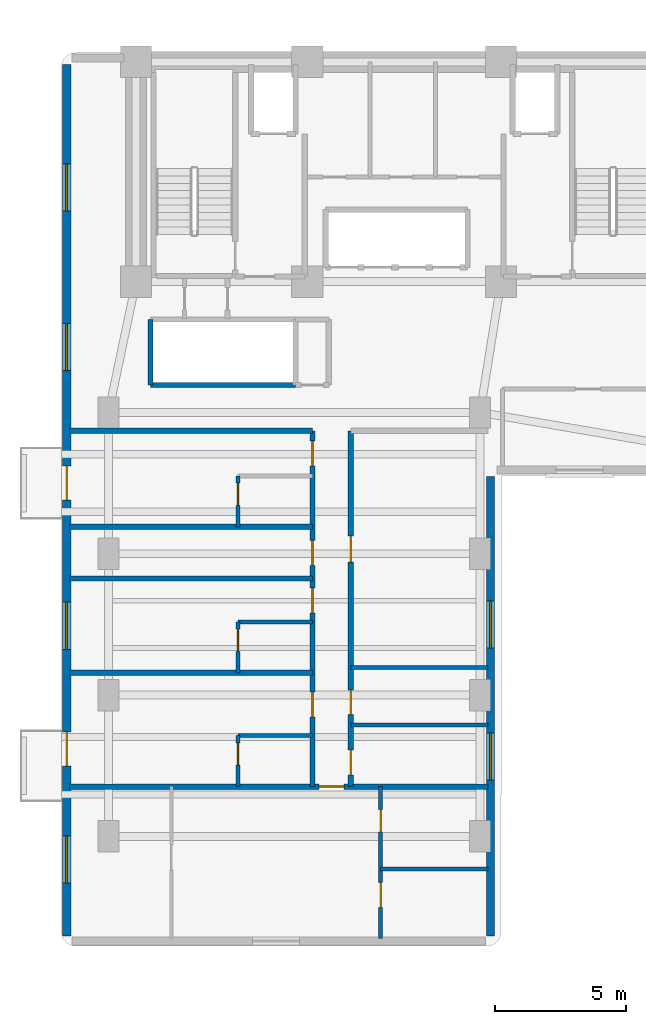
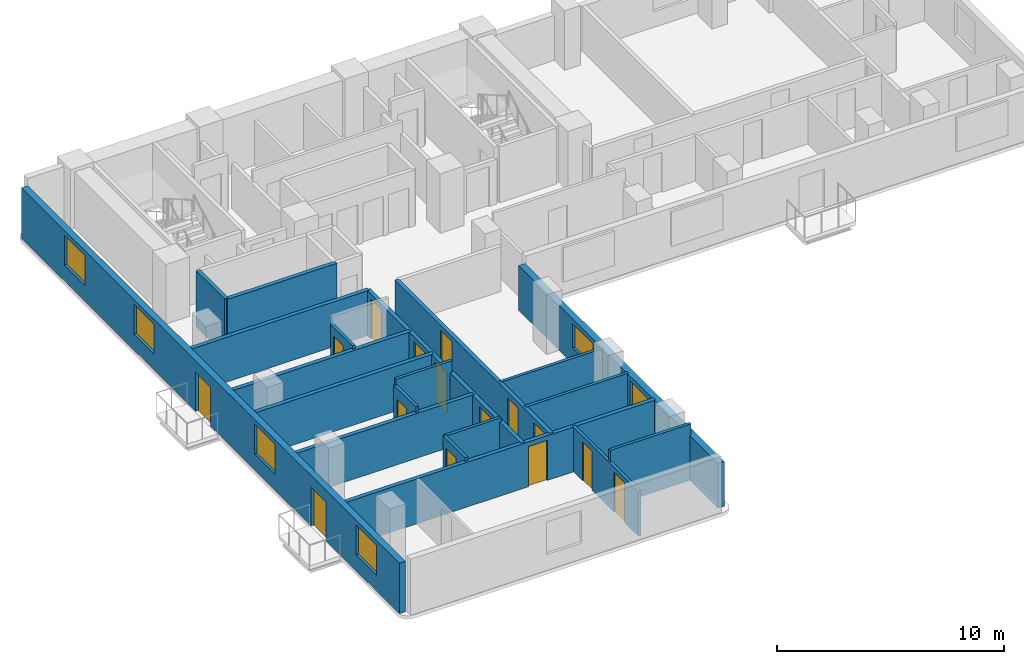
# One storey, part 3 of 11: 20 walls, 15 doors, 6 windows, 21 openings.
"""IFC4 building model written with IfcOpenShell, lengths in metres."""

from ifc_helpers import new_model, si_unit, direction, frame, frame_2d, origin, place, context, subcontext, project, spatial, rectangle, extrude, material, layer, layer_set, type_object, element, fill, save


model = new_model("IFC4")

# Units and contexts
model_context = context("Model", 3, precision=1e-05, world=origin(), true_north=direction((0.0, 1.0)))
body_context = subcontext(model_context, "Body", "Model", "MODEL_VIEW")
ifc_project = project(units=[si_unit("LENGTHUNIT", "METRE"), si_unit("AREAUNIT", "SQUARE_METRE"), si_unit("VOLUMEUNIT", "CUBIC_METRE"), si_unit("PLANEANGLEUNIT", "RADIAN"), si_unit("MASSUNIT", "GRAM", prefix="KILO")], contexts=[model_context])

# Site, building, storey
site_placement = place(None, origin())
site = spatial("IfcSite", under=ifc_project, at=site_placement, CompositionType="ELEMENT")
building_placement = place(site_placement, origin())
building = spatial("IfcBuilding", under=site, at=building_placement, Name="Kuzgunbayir Cultural Tower", CompositionType="ELEMENT")
storey_placement = place(building_placement, frame((0.0, 0.0, 83.39990234375)))
storey = spatial("IfcBuildingStorey", under=building, at=storey_placement, Name="L23", CompositionType="ELEMENT", Elevation=83.39990234375)

# Wall, openings, doors, windows
ifc_material_1 = material(Name="Travertine Buff Ashlar", Category="masonry")
ifc_layer_1 = layer(ifc_material_1, 0.320068359375)
ifc_layer_set_1 = layer_set([ifc_layer_1], Name="Travertine Buff Ashlar")
wall_type_1 = type_object("IfcWallType", Name="WAL-EXT-STONE-320", PredefinedType="STANDARD", material=ifc_layer_set_1)
wall_1_placement = place(storey_placement, frame((3.800048828125, 42.10009765625, 0.0), z_axis=(0.0, 0.0, 1.0), x_axis=(0.0, -1.0, 0.0)))
wall_1 = element("IfcWall", 1, at=wall_1_placement, inside=storey, type_object=wall_type_1, Name="L23 Wing A West Limestone Wall", PredefinedType="STANDARD", context=body_context, shape_type="SweptSolid", body=[
    extrude(rectangle(XDim=33.300048828125, YDim=0.320068359375, at=frame_2d((16.64990234375, 0.0))), origin(), (0.0, 0.0, 1.0), 2.710205078125),
])
opening_1_placement = place(wall_1_placement, frame((25.52001953125, 0.0, 0.0)))
opening_1 = element("IfcOpeningElement", 2, at=opening_1_placement, cuts=wall_1, Name="Opening BD-13", PredefinedType="OPENING", context=body_context, shape_type="SweptSolid", body=[
    extrude(rectangle(XDim=1.300048828125, YDim=2.080078125, at=frame_2d((0.64990234375, 1.0400390625))), frame((0.0, 0.169921875, 0.0), z_axis=(0.0, -1.0, 0.0), x_axis=(1.0, 0.0, 0.0)), (0.0, 0.0, 1.0), 0.340087890625),
])
opening_2_placement = place(wall_1_placement, frame((15.35009765625, 0.0, 0.0)))
opening_2 = element("IfcOpeningElement", 3, at=opening_2_placement, cuts=wall_1, Name="Opening BD-13", PredefinedType="OPENING", context=body_context, shape_type="SweptSolid", body=[
    extrude(rectangle(XDim=1.300048828125, YDim=2.080078125, at=frame_2d((0.64990234375, 1.0400390625))), frame((0.0, 0.169921875, 0.0), z_axis=(0.0, -1.0, 0.0), x_axis=(1.0, 0.0, 0.0)), (0.0, 0.0, 1.0), 0.340087890625),
])
opening_3_placement = place(wall_1_placement, frame((20.550048828125, 0.0, 0.85009765625)))
opening_3 = element("IfcOpeningElement", 4, at=opening_3_placement, cuts=wall_1, Name="Opening WH-18", PredefinedType="OPENING", context=body_context, shape_type="SweptSolid", body=[
    extrude(rectangle(XDim=1.800048828125, YDim=1.610107421875, at=frame_2d((0.89990234375, 0.80517578125))), frame((0.0, 0.169921875, 0.0), z_axis=(0.0, -1.0, 0.0), x_axis=(1.0, 0.0, 0.0)), (0.0, 0.0, 1.0), 0.340087890625),
])
opening_4_placement = place(wall_1_placement, frame((29.47998046875, 0.0, 0.85009765625)))
opening_4 = element("IfcOpeningElement", 5, at=opening_4_placement, cuts=wall_1, Name="Opening WH-18", PredefinedType="OPENING", context=body_context, shape_type="SweptSolid", body=[
    extrude(rectangle(XDim=1.800048828125, YDim=1.610107421875, at=frame_2d((0.89990234375, 0.80517578125))), frame((0.0, 0.169921875, 0.0), z_axis=(0.0, -1.0, 0.0), x_axis=(1.0, 0.0, 0.0)), (0.0, 0.0, 1.0), 0.340087890625),
])
opening_5_placement = place(wall_1_placement, frame((9.89990234375, 0.0, 0.85009765625)))
opening_5 = element("IfcOpeningElement", 6, at=opening_5_placement, cuts=wall_1, Name="Opening WH-18", PredefinedType="OPENING", context=body_context, shape_type="SweptSolid", body=[
    extrude(rectangle(XDim=1.800048828125, YDim=1.610107421875, at=frame_2d((0.89990234375, 0.80517578125))), frame((0.0, 0.169921875, 0.0), z_axis=(0.0, -1.0, 0.0), x_axis=(1.0, 0.0, 0.0)), (0.0, 0.0, 1.0), 0.340087890625),
])
opening_6_placement = place(wall_1_placement, frame((3.800048828125, 0.0, 0.85009765625)))
opening_6 = element("IfcOpeningElement", 7, at=opening_6_placement, cuts=wall_1, Name="Opening WH-18", PredefinedType="OPENING", context=body_context, shape_type="SweptSolid", body=[
    extrude(rectangle(XDim=1.800048828125, YDim=1.610107421875, at=frame_2d((0.89990234375, 0.80517578125))), frame((0.0, 0.169921875, 0.0), z_axis=(0.0, -1.0, 0.0), x_axis=(1.0, 0.0, 0.0)), (0.0, 0.0, 1.0), 0.340087890625),
])
ifc_material_2 = material(Name="Thermally Broken Glazed Aluminium", Category="aluminium")
door_type_1 = type_object("IfcDoorType", Name="DR-BALCONY-135", OperationType="SLIDING_TO_LEFT", PredefinedType="DOOR", material=ifc_material_2)
door_1_placement = place(opening_1_placement, origin())
door_1 = element("IfcDoor", 8, at=door_1_placement, inside=storey, type_object=door_type_1, Name="L23 West Balcony Sliding Door BAL-L23-WA1", OperationType="SLIDING_TO_LEFT", OverallHeight=2.080078125, OverallWidth=1.300048828125, PredefinedType="DOOR", context=body_context, shape_type="SweptSolid", body=[
    extrude(rectangle(XDim=1.300048828125, YDim=2.080078125, at=frame_2d((0.64990234375, 1.0400390625))), frame((0.0, 0.02490234375, 0.0), z_axis=(0.0, -1.0, 0.0), x_axis=(1.0, 0.0, 0.0)), (0.0, 0.0, 1.0), 0.050048828125),
])
fill(opening_1, door_1)
door_2_placement = place(opening_2_placement, origin())
door_2 = element("IfcDoor", 9, at=door_2_placement, inside=storey, type_object=door_type_1, Name="L23 West Balcony Sliding Door BAL-L23-WA3", OperationType="SLIDING_TO_LEFT", OverallHeight=2.080078125, OverallWidth=1.300048828125, PredefinedType="DOOR", context=body_context, shape_type="SweptSolid", body=[
    extrude(rectangle(XDim=1.300048828125, YDim=2.080078125, at=frame_2d((0.64990234375, 1.0400390625))), frame((0.0, 0.02490234375, 0.0), z_axis=(0.0, -1.0, 0.0), x_axis=(1.0, 0.0, 0.0)), (0.0, 0.0, 1.0), 0.050048828125),
])
fill(opening_2, door_2)
ifc_material_3 = material(Name="Solar-Control Triple Glazing", Category="glass")
window_type = type_object("IfcWindowType", Name="WIN-HOTEL-18", PartitioningType="SINGLE_PANEL", PredefinedType="WINDOW", material=ifc_material_3)
window_1_placement = place(opening_3_placement, origin())
window_1 = element("IfcWindow", 10, at=window_1_placement, inside=storey, type_object=window_type, Name="L23 WAW Facade Window 1", OverallHeight=1.610107421875, OverallWidth=1.800048828125, PartitioningType="SINGLE_PANEL", PredefinedType="WINDOW", context=body_context, shape_type="SweptSolid", body=[
    extrude(rectangle(XDim=1.800048828125, YDim=1.610107421875, at=frame_2d((0.89990234375, 0.80517578125))), frame((0.0, 0.030029296875, 0.0), z_axis=(0.0, -1.0, 0.0), x_axis=(1.0, 0.0, 0.0)), (0.0, 0.0, 1.0), 0.06005859375),
])
fill(opening_3, window_1)
window_2_placement = place(opening_4_placement, origin())
window_2 = element("IfcWindow", 11, at=window_2_placement, inside=storey, type_object=window_type, Name="L23 WAW Facade Window 2", OverallHeight=1.610107421875, OverallWidth=1.800048828125, PartitioningType="SINGLE_PANEL", PredefinedType="WINDOW", context=body_context, shape_type="SweptSolid", body=[
    extrude(rectangle(XDim=1.800048828125, YDim=1.610107421875, at=frame_2d((0.89990234375, 0.80517578125))), frame((0.0, 0.030029296875, 0.0), z_axis=(0.0, -1.0, 0.0), x_axis=(1.0, 0.0, 0.0)), (0.0, 0.0, 1.0), 0.06005859375),
])
fill(opening_4, window_2)
window_3_placement = place(opening_5_placement, origin())
window_3 = element("IfcWindow", 12, at=window_3_placement, inside=storey, type_object=window_type, Name="L23 WAW Facade Window 7", OverallHeight=1.610107421875, OverallWidth=1.800048828125, PartitioningType="SINGLE_PANEL", PredefinedType="WINDOW", context=body_context, shape_type="SweptSolid", body=[
    extrude(rectangle(XDim=1.800048828125, YDim=1.610107421875, at=frame_2d((0.89990234375, 0.80517578125))), frame((0.0, 0.030029296875, 0.0), z_axis=(0.0, -1.0, 0.0), x_axis=(1.0, 0.0, 0.0)), (0.0, 0.0, 1.0), 0.06005859375),
])
fill(opening_5, window_3)
window_4_placement = place(opening_6_placement, origin())
window_4 = element("IfcWindow", 13, at=window_4_placement, inside=storey, type_object=window_type, Name="L23 WAW Facade Window 8", OverallHeight=1.610107421875, OverallWidth=1.800048828125, PartitioningType="SINGLE_PANEL", PredefinedType="WINDOW", context=body_context, shape_type="SweptSolid", body=[
    extrude(rectangle(XDim=1.800048828125, YDim=1.610107421875, at=frame_2d((0.89990234375, 0.80517578125))), frame((0.0, 0.030029296875, 0.0), z_axis=(0.0, -1.0, 0.0), x_axis=(1.0, 0.0, 0.0)), (0.0, 0.0, 1.0), 0.06005859375),
])
fill(opening_6, window_4)

# Wall, openings, windows
wall_2_placement = place(storey_placement, frame((20.0, 8.800048828125, 0.0), z_axis=(0.0, 0.0, 1.0), x_axis=(0.0, 1.0, 0.0)))
wall_2 = element("IfcWall", 14, at=wall_2_placement, inside=storey, type_object=wall_type_1, Name="L23 Wing A East Limestone Wall", PredefinedType="STANDARD", context=body_context, shape_type="SweptSolid", body=[
    extrude(rectangle(XDim=17.550048828125, YDim=0.320068359375, at=frame_2d((8.77490234375, 0.0))), origin(), (0.0, 0.0, 1.0), 2.41015625),
])
opening_7_placement = place(wall_2_placement, frame((5.949951171875, 0.0, 0.85009765625)))
opening_7 = element("IfcOpeningElement", 15, at=opening_7_placement, cuts=wall_2, Name="Opening WH-18", PredefinedType="OPENING", context=body_context, shape_type="SweptSolid", body=[
    extrude(rectangle(XDim=1.800048828125, YDim=1.31005859375, at=frame_2d((0.89990234375, 0.655029296875))), frame((0.0, 0.169921875, 0.0), z_axis=(0.0, -1.0, 0.0), x_axis=(1.0, 0.0, 0.0)), (0.0, 0.0, 1.0), 0.340087890625),
])
opening_8_placement = place(wall_2_placement, frame((11.0, 0.0, 0.85009765625)))
opening_8 = element("IfcOpeningElement", 16, at=opening_8_placement, cuts=wall_2, Name="Opening WH-18", PredefinedType="OPENING", context=body_context, shape_type="SweptSolid", body=[
    extrude(rectangle(XDim=1.800048828125, YDim=1.31005859375, at=frame_2d((0.89990234375, 0.655029296875))), frame((0.0, 0.169921875, 0.0), z_axis=(0.0, -1.0, 0.0), x_axis=(1.0, 0.0, 0.0)), (0.0, 0.0, 1.0), 0.340087890625),
])
window_5_placement = place(opening_7_placement, origin())
window_5 = element("IfcWindow", 17, at=window_5_placement, inside=storey, type_object=window_type, Name="L23 WAE Facade Window 9", OverallHeight=1.31005859375, OverallWidth=1.800048828125, PartitioningType="SINGLE_PANEL", PredefinedType="WINDOW", context=body_context, shape_type="SweptSolid", body=[
    extrude(rectangle(XDim=1.800048828125, YDim=1.31005859375, at=frame_2d((0.89990234375, 0.655029296875))), frame((0.0, 0.030029296875, 0.0), z_axis=(0.0, -1.0, 0.0), x_axis=(1.0, 0.0, 0.0)), (0.0, 0.0, 1.0), 0.06005859375),
])
fill(opening_7, window_5)
window_6_placement = place(opening_8_placement, origin())
window_6 = element("IfcWindow", 18, at=window_6_placement, inside=storey, type_object=window_type, Name="L23 WAE Facade Window 10", OverallHeight=1.31005859375, OverallWidth=1.800048828125, PartitioningType="SINGLE_PANEL", PredefinedType="WINDOW", context=body_context, shape_type="SweptSolid", body=[
    extrude(rectangle(XDim=1.800048828125, YDim=1.31005859375, at=frame_2d((0.89990234375, 0.655029296875))), frame((0.0, 0.030029296875, 0.0), z_axis=(0.0, -1.0, 0.0), x_axis=(1.0, 0.0, 0.0)), (0.0, 0.0, 1.0), 0.06005859375),
])
fill(opening_8, window_6)

# Wall
ifc_material_4 = material(Name="Acoustic Double-Stud Drywall", Category="gypsum")
ifc_layer_2 = layer(ifc_material_4, 0.14990234375)
ifc_layer_set_2 = layer_set([ifc_layer_2], Name="Acoustic Double-Stud Drywall")
wall_type_2 = type_object("IfcWallType", Name="WAL-PART-ACOUSTIC-150", PredefinedType="PARTITIONING", material=ifc_layer_set_2)
wall_3_placement = place(storey_placement, frame((14.659912109375, 16.85009765625, 0.0), z_axis=(0.0, 0.0, 1.0), x_axis=(1.0, 0.0, 0.0)))
element("IfcWall", 19, at=wall_3_placement, inside=storey, type_object=wall_type_2, Name="L23 Housekeeping North Wall", PredefinedType="PARTITIONING", context=body_context, shape_type="SweptSolid", body=[
    extrude(rectangle(XDim=5.239990234375, YDim=0.14990234375, at=frame_2d((2.6201171875, 0.0))), origin(), (0.0, 0.0, 1.0), 2.41015625),
])

# Wall, openings, doors
ifc_material_5 = material(Name="Aerated Concrete Blockwork", Category="masonry")
ifc_layer_3 = layer(ifc_material_5, 0.199951171875)
ifc_layer_set_3 = layer_set([ifc_layer_3], Name="Aerated Concrete Blockwork")
wall_type_3 = type_object("IfcWallType", Name="WAL-PART-FIRE-200", PredefinedType="PARTITIONING", material=ifc_layer_set_3)
wall_4_placement = place(storey_placement, frame((13.199951171875, 14.5, 0.0), z_axis=(0.0, 0.0, 1.0), x_axis=(0.0, 1.0, 0.0)))
wall_4 = element("IfcWall", 20, at=wall_4_placement, inside=storey, type_object=wall_type_3, Name="L23 Wing A West Corridor Wall", PredefinedType="PARTITIONING", context=body_context, shape_type="SweptSolid", body=[
    extrude(rectangle(XDim=13.60009765625, YDim=0.199951171875, at=frame_2d((6.800048828125, 0.0))), origin(), (0.0, 0.0, 1.0), 2.41015625),
])
opening_9_placement = place(wall_4_placement, frame((2.669921875, 0.0, 0.0)))
opening_9 = element("IfcOpeningElement", 21, at=opening_9_placement, cuts=wall_4, Name="Opening DR-APT-60", PredefinedType="OPENING", context=body_context, shape_type="SweptSolid", body=[
    extrude(rectangle(XDim=0.949951171875, YDim=2.14990234375, at=frame_2d((0.47509765625, 1.074951171875))), frame((0.0, 0.10986328125, 0.0), z_axis=(0.0, -1.0, 0.0), x_axis=(1.0, 0.0, 0.0)), (0.0, 0.0, 1.0), 0.219970703125),
])
opening_10_placement = place(wall_4_placement, frame((8.4599609375, 0.0, 0.0)))
opening_10 = element("IfcOpeningElement", 22, at=opening_10_placement, cuts=wall_4, Name="Opening DI-90", PredefinedType="OPENING", context=body_context, shape_type="SweptSolid", body=[
    extrude(rectangle(XDim=0.949951171875, YDim=2.14990234375, at=frame_2d((0.47509765625, 1.074951171875))), frame((0.0, 0.10986328125, 0.0), z_axis=(0.0, -1.0, 0.0), x_axis=(1.0, 0.0, 0.0)), (0.0, 0.0, 1.0), 0.219970703125),
])
opening_11_placement = place(wall_4_placement, frame((6.639892578125, 0.0, 0.0)))
opening_11 = element("IfcOpeningElement", 23, at=opening_11_placement, cuts=wall_4, Name="Opening DR-APT-60", PredefinedType="OPENING", context=body_context, shape_type="SweptSolid", body=[
    extrude(rectangle(XDim=0.949951171875, YDim=2.14990234375, at=frame_2d((0.47509765625, 1.074951171875))), frame((0.0, 0.10986328125, 0.0), z_axis=(0.0, -1.0, 0.0), x_axis=(1.0, 0.0, 0.0)), (0.0, 0.0, 1.0), 0.219970703125),
])
opening_12_placement = place(wall_4_placement, frame((12.260009765625, 0.0, 0.0)))
opening_12 = element("IfcOpeningElement", 24, at=opening_12_placement, cuts=wall_4, Name="Opening DR-APT-60", PredefinedType="OPENING", context=body_context, shape_type="SweptSolid", body=[
    extrude(rectangle(XDim=0.949951171875, YDim=2.14990234375, at=frame_2d((0.47509765625, 1.074951171875))), frame((0.0, 0.10986328125, 0.0), z_axis=(0.0, -1.0, 0.0), x_axis=(1.0, 0.0, 0.0)), (0.0, 0.0, 1.0), 0.219970703125),
])
ifc_material_6 = material(Name="Acoustic Fire Timber Leaf", Category="wood")
door_type_2 = type_object("IfcDoorType", Name="DR-APT-60", OperationType="NOTDEFINED", PredefinedType="DOOR", material=ifc_material_6)
door_3_placement = place(opening_9_placement, origin())
door_3 = element("IfcDoor", 25, at=door_3_placement, inside=storey, type_object=door_type_2, Name="L23 Guest Suite W1 Entrance", OperationType="SINGLE_SWING_RIGHT", OverallHeight=2.14990234375, OverallWidth=0.949951171875, PredefinedType="DOOR", context=body_context, shape_type="SweptSolid", body=[
    extrude(rectangle(XDim=0.949951171875, YDim=2.14990234375, at=frame_2d((0.47509765625, 1.074951171875))), frame((0.0, 0.02490234375, 0.0), z_axis=(0.0, -1.0, 0.0), x_axis=(1.0, 0.0, 0.0)), (0.0, 0.0, 1.0), 0.050048828125),
])
fill(opening_9, door_3)
door_4_placement = place(opening_11_placement, origin())
door_4 = element("IfcDoor", 26, at=door_4_placement, inside=storey, type_object=door_type_2, Name="L23 Guest Suite W2 Entrance", OperationType="SINGLE_SWING_LEFT", OverallHeight=2.14990234375, OverallWidth=0.949951171875, PredefinedType="DOOR", context=body_context, shape_type="SweptSolid", body=[
    extrude(rectangle(XDim=0.949951171875, YDim=2.14990234375, at=frame_2d((0.47509765625, 1.074951171875))), frame((0.0, 0.02490234375, 0.0), z_axis=(0.0, -1.0, 0.0), x_axis=(1.0, 0.0, 0.0)), (0.0, 0.0, 1.0), 0.050048828125),
])
fill(opening_11, door_4)
door_5_placement = place(opening_12_placement, origin())
door_5 = element("IfcDoor", 27, at=door_5_placement, inside=storey, type_object=door_type_2, Name="L23 Guest Suite W3 Entrance", OperationType="SINGLE_SWING_LEFT", OverallHeight=2.14990234375, OverallWidth=0.949951171875, PredefinedType="DOOR", context=body_context, shape_type="SweptSolid", body=[
    extrude(rectangle(XDim=0.949951171875, YDim=2.14990234375, at=frame_2d((0.47509765625, 1.074951171875))), frame((0.0, 0.02490234375, 0.0), z_axis=(0.0, -1.0, 0.0), x_axis=(1.0, 0.0, 0.0)), (0.0, 0.0, 1.0), 0.050048828125),
])
fill(opening_12, door_5)
ifc_material_7 = material(Name="Veneered Oak Single Leaf", Category="wood")
door_type_3 = type_object("IfcDoorType", Name="DR-INT-90", OperationType="NOTDEFINED", PredefinedType="DOOR", material=ifc_material_7)
door_6_placement = place(opening_10_placement, origin())
door_6 = element("IfcDoor", 28, at=door_6_placement, inside=storey, type_object=door_type_3, Name="L23 Fellows Reading Lounge W2 Door", OperationType="SINGLE_SWING_LEFT", OverallHeight=2.14990234375, OverallWidth=0.949951171875, PredefinedType="DOOR", context=body_context, shape_type="SweptSolid", body=[
    extrude(rectangle(XDim=0.949951171875, YDim=2.14990234375, at=frame_2d((0.47509765625, 1.074951171875))), frame((0.0, 0.02490234375, 0.0), z_axis=(0.0, -1.0, 0.0), x_axis=(1.0, 0.0, 0.0)), (0.0, 0.0, 1.0), 0.050048828125),
])
fill(opening_10, door_6)

wall_5_placement = place(storey_placement, frame((14.659912109375, 14.5, 0.0), z_axis=(0.0, 0.0, 1.0), x_axis=(0.0, 1.0, 0.0)))
wall_5 = element("IfcWall", 29, at=wall_5_placement, inside=storey, type_object=wall_type_3, Name="L23 Wing A East Corridor Wall", PredefinedType="PARTITIONING", context=body_context, shape_type="SweptSolid", body=[
    extrude(rectangle(XDim=13.60009765625, YDim=0.199951171875, at=frame_2d((6.800048828125, 0.0))), origin(), (0.0, 0.0, 1.0), 2.41015625),
])
opening_13_placement = place(wall_5_placement, frame((0.449951171875, 0.0, 0.0)))
opening_13 = element("IfcOpeningElement", 30, at=opening_13_placement, cuts=wall_5, Name="Opening DI-90", PredefinedType="OPENING", context=body_context, shape_type="SweptSolid", body=[
    extrude(rectangle(XDim=0.949951171875, YDim=2.14990234375, at=frame_2d((0.47509765625, 1.074951171875))), frame((0.0, 0.10986328125, 0.0), z_axis=(0.0, -1.0, 0.0), x_axis=(1.0, 0.0, 0.0)), (0.0, 0.0, 1.0), 0.219970703125),
])
opening_14_placement = place(wall_5_placement, frame((2.75, 0.0, 0.0)))
opening_14 = element("IfcOpeningElement", 31, at=opening_14_placement, cuts=wall_5, Name="Opening DW-95", PredefinedType="OPENING", context=body_context, shape_type="SweptSolid", body=[
    extrude(rectangle(XDim=0.949951171875, YDim=2.10009765625, at=frame_2d((0.47509765625, 1.050048828125))), frame((0.0, 0.10986328125, 0.0), z_axis=(0.0, -1.0, 0.0), x_axis=(1.0, 0.0, 0.0)), (0.0, 0.0, 1.0), 0.219970703125),
])
opening_15_placement = place(wall_5_placement, frame((8.580078125, 0.0, 0.0)))
opening_15 = element("IfcOpeningElement", 32, at=opening_15_placement, cuts=wall_5, Name="Opening DI-100", PredefinedType="OPENING", context=body_context, shape_type="SweptSolid", body=[
    extrude(rectangle(XDim=1.0, YDim=2.14990234375, at=frame_2d((0.5, 1.074951171875))), frame((0.0, 0.10986328125, 0.0), z_axis=(0.0, -1.0, 0.0), x_axis=(1.0, 0.0, 0.0)), (0.0, 0.0, 1.0), 0.219970703125),
])
door_type_4 = type_object("IfcDoorType", Name="DR-INT-100", OperationType="NOTDEFINED", PredefinedType="DOOR", material=ifc_material_7)
door_7_placement = place(opening_15_placement, origin())
door_7 = element("IfcDoor", 33, at=door_7_placement, inside=storey, type_object=door_type_4, Name="L23 East Fellows Reading Lounge Door", OperationType="SINGLE_SWING_RIGHT", OverallHeight=2.14990234375, OverallWidth=1.0, PredefinedType="DOOR", context=body_context, shape_type="SweptSolid", body=[
    extrude(rectangle(XDim=1.0, YDim=2.14990234375, at=frame_2d((0.5, 1.074951171875))), frame((0.0, 0.02490234375, 0.0), z_axis=(0.0, -1.0, 0.0), x_axis=(1.0, 0.0, 0.0)), (0.0, 0.0, 1.0), 0.050048828125),
])
fill(opening_15, door_7)
door_8_placement = place(opening_13_placement, origin())
door_8 = element("IfcDoor", 34, at=door_8_placement, inside=storey, type_object=door_type_3, Name="L23 Housekeeping Room Door", OperationType="SINGLE_SWING_RIGHT", OverallHeight=2.14990234375, OverallWidth=0.949951171875, PredefinedType="DOOR", context=body_context, shape_type="SweptSolid", body=[
    extrude(rectangle(XDim=0.949951171875, YDim=2.14990234375, at=frame_2d((0.47509765625, 1.074951171875))), frame((0.0, 0.02490234375, 0.0), z_axis=(0.0, -1.0, 0.0), x_axis=(1.0, 0.0, 0.0)), (0.0, 0.0, 1.0), 0.050048828125),
])
fill(opening_13, door_8)
ifc_material_8 = material(Name="Laminate Moisture-Resistant Leaf", Category="wood")
door_type_5 = type_object("IfcDoorType", Name="DR-WET-95", OperationType="NOTDEFINED", PredefinedType="DOOR", material=ifc_material_8)
door_9_placement = place(opening_14_placement, origin())
door_9 = element("IfcDoor", 35, at=door_9_placement, inside=storey, type_object=door_type_5, Name="L23 Accessible WC Door", OperationType="SINGLE_SWING_LEFT", OverallHeight=2.10009765625, OverallWidth=0.949951171875, PredefinedType="DOOR", context=body_context, shape_type="SweptSolid", body=[
    extrude(rectangle(XDim=0.949951171875, YDim=2.10009765625, at=frame_2d((0.47509765625, 1.050048828125))), frame((0.0, 0.02490234375, 0.0), z_axis=(0.0, -1.0, 0.0), x_axis=(1.0, 0.0, 0.0)), (0.0, 0.0, 1.0), 0.050048828125),
])
fill(opening_14, door_9)

# Wall, opening, door
wall_6_placement = place(storey_placement, frame((3.89990234375, 14.5, 0.0), z_axis=(0.0, 0.0, 1.0), x_axis=(1.0, 0.0, 0.0)))
wall_6 = element("IfcWall", 36, at=wall_6_placement, inside=storey, type_object=wall_type_3, Name="L23 South Cross Partition", PredefinedType="PARTITIONING", context=body_context, shape_type="SweptSolid", body=[
    extrude(rectangle(XDim=16.0, YDim=0.199951171875, at=frame_2d((8.0, 0.0))), origin(), (0.0, 0.0, 1.0), 2.41015625),
])
opening_16_placement = place(wall_6_placement, frame((9.550048828125, 0.0, 0.0)))
opening_16 = element("IfcOpeningElement", 37, at=opening_16_placement, cuts=wall_6, Name="Opening DR-APT-60", PredefinedType="OPENING", context=body_context, shape_type="SweptSolid", body=[
    extrude(rectangle(XDim=0.949951171875, YDim=2.14990234375, at=frame_2d((0.47509765625, 1.074951171875))), frame((0.0, 0.10986328125, 0.0), z_axis=(0.0, -1.0, 0.0), x_axis=(1.0, 0.0, 0.0)), (0.0, 0.0, 1.0), 0.219970703125),
])
door_10_placement = place(opening_16_placement, origin())
door_10 = element("IfcDoor", 38, at=door_10_placement, inside=storey, type_object=door_type_2, Name="L23 Diplomatic Suite Entrance", OperationType="SINGLE_SWING_RIGHT", OverallHeight=2.14990234375, OverallWidth=0.949951171875, PredefinedType="DOOR", context=body_context, shape_type="SweptSolid", body=[
    extrude(rectangle(XDim=0.949951171875, YDim=2.14990234375, at=frame_2d((0.47509765625, 1.074951171875))), frame((0.0, 0.02490234375, 0.0), z_axis=(0.0, -1.0, 0.0), x_axis=(1.0, 0.0, 0.0)), (0.0, 0.0, 1.0), 0.050048828125),
])
fill(opening_16, door_10)

# Walls
for number, where, z_axis, x_axis, name in (
    (39, (3.89990234375, 28.10009765625, 0.0), (0.0, 0.0, 1.0), (1.0, 0.0, 0.0), "L23 North West Partition"),
    (40, (3.89990234375, 18.85009765625, 0.0), (0.0, 0.0, 1.0), (1.0, 0.0, 0.0), "L23 West Party Wall 1"),
    (41, (3.89990234375, 22.449951171875, 0.0), (0.0, 0.0, 1.0), (1.0, 0.0, 0.0), "L23 Suite W2 Sub-Party Wall"),
    (42, (3.89990234375, 24.429931640625, 0.0), (0.0, 0.0, 1.0), (1.0, 0.0, 0.0), "L23 West Party Wall 2"),
):
    element("IfcWall", number, at=place(storey_placement, frame(where, z_axis=z_axis, x_axis=x_axis)), inside=storey, type_object=wall_type_3, Name=name, PredefinedType="PARTITIONING", context=body_context, shape_type="SweptSolid", body=[
        extrude(rectangle(XDim=9.300048828125, YDim=0.199951171875, at=frame_2d((4.64990234375, 0.0))), origin(), (0.0, 0.0, 1.0), 2.41015625),
    ])
ifc_material_9 = material(Name="Moisture-Resistant Tile Partition", Category="gypsum")
ifc_layer_4 = layer(ifc_material_9, 0.14990234375)
ifc_layer_set_4 = layer_set([ifc_layer_4], Name="Moisture-Resistant Tile Partition")
wall_type_4 = type_object("IfcWallType", Name="WAL-PART-WET-150", PredefinedType="PARTITIONING", material=ifc_layer_set_4)
wall_7_placement = place(storey_placement, frame((10.35009765625, 16.449951171875, 0.0), z_axis=(0.0, 0.0, 1.0), x_axis=(1.0, 0.0, 0.0)))
element("IfcWall", 43, at=wall_7_placement, inside=storey, type_object=wall_type_4, Name="L23 Suite W1 En-Suite North Wall", PredefinedType="PARTITIONING", context=body_context, shape_type="SweptSolid", body=[
    extrude(rectangle(XDim=2.849853515625, YDim=0.14990234375, at=frame_2d((1.4248046875, 0.0))), origin(), (0.0, 0.0, 1.0), 2.60009765625),
])

# Wall, opening, door
wall_8_placement = place(storey_placement, frame((10.35009765625, 14.5, 0.0), z_axis=(0.0, 0.0, 1.0), x_axis=(0.0, 1.0, 0.0)))
wall_8 = element("IfcWall", 44, at=wall_8_placement, inside=storey, type_object=wall_type_4, Name="L23 Suite W1 En-Suite West Wall", PredefinedType="PARTITIONING", context=body_context, shape_type="SweptSolid", body=[
    extrude(rectangle(XDim=1.949951171875, YDim=0.14990234375, at=frame_2d((0.97509765625, 0.0))), origin(), (0.0, 0.0, 1.0), 2.60009765625),
])
opening_17_placement = place(wall_8_placement, frame((0.820068359375, 0.0, 0.0)))
opening_17 = element("IfcOpeningElement", 45, at=opening_17_placement, cuts=wall_8, Name="Opening DW-85", PredefinedType="OPENING", context=body_context, shape_type="SweptSolid", body=[
    extrude(rectangle(XDim=0.85009765625, YDim=2.10009765625, at=frame_2d((0.425048828125, 1.050048828125))), frame((0.0, 0.0849609375, 0.0), z_axis=(0.0, -1.0, 0.0), x_axis=(1.0, 0.0, 0.0)), (0.0, 0.0, 1.0), 0.169921875),
])
door_type_6 = type_object("IfcDoorType", Name="DR-WET-85", OperationType="NOTDEFINED", PredefinedType="DOOR", material=ifc_material_8)
door_11_placement = place(opening_17_placement, origin())
door_11 = element("IfcDoor", 46, at=door_11_placement, inside=storey, type_object=door_type_6, Name="L23 Suite W1 En-Suite Door", OperationType="SINGLE_SWING_LEFT", OverallHeight=2.10009765625, OverallWidth=0.85009765625, PredefinedType="DOOR", context=body_context, shape_type="SweptSolid", body=[
    extrude(rectangle(XDim=0.85009765625, YDim=2.10009765625, at=frame_2d((0.425048828125, 1.050048828125))), frame((0.0, 0.02490234375, 0.0), z_axis=(0.0, -1.0, 0.0), x_axis=(1.0, 0.0, 0.0)), (0.0, 0.0, 1.0), 0.050048828125),
])
fill(opening_17, door_11)

# Wall
wall_9_placement = place(storey_placement, frame((10.35009765625, 20.800048828125, 0.0), z_axis=(0.0, 0.0, 1.0), x_axis=(1.0, 0.0, 0.0)))
element("IfcWall", 47, at=wall_9_placement, inside=storey, type_object=wall_type_4, Name="L23 Suite W2 En-Suite North Wall", PredefinedType="PARTITIONING", context=body_context, shape_type="SweptSolid", body=[
    extrude(rectangle(XDim=2.849853515625, YDim=0.14990234375, at=frame_2d((1.4248046875, 0.0))), origin(), (0.0, 0.0, 1.0), 3.02001953125),
])

# Wall, opening, door
wall_10_placement = place(storey_placement, frame((10.35009765625, 18.85009765625, 0.0), z_axis=(0.0, 0.0, 1.0), x_axis=(0.0, 1.0, 0.0)))
wall_10 = element("IfcWall", 48, at=wall_10_placement, inside=storey, type_object=wall_type_4, Name="L23 Suite W2 En-Suite West Wall", PredefinedType="PARTITIONING", context=body_context, shape_type="SweptSolid", body=[
    extrude(rectangle(XDim=1.949951171875, YDim=0.14990234375, at=frame_2d((0.97509765625, 0.0))), origin(), (0.0, 0.0, 1.0), 2.710205078125),
])
opening_18_placement = place(wall_10_placement, frame((0.820068359375, 0.0, 0.0)))
opening_18 = element("IfcOpeningElement", 49, at=opening_18_placement, cuts=wall_10, Name="Opening DW-85", PredefinedType="OPENING", context=body_context, shape_type="SweptSolid", body=[
    extrude(rectangle(XDim=0.85009765625, YDim=2.10009765625, at=frame_2d((0.425048828125, 1.050048828125))), frame((0.0, 0.0849609375, 0.0), z_axis=(0.0, -1.0, 0.0), x_axis=(1.0, 0.0, 0.0)), (0.0, 0.0, 1.0), 0.169921875),
])
door_12_placement = place(opening_18_placement, origin())
door_12 = element("IfcDoor", 50, at=door_12_placement, inside=storey, type_object=door_type_6, Name="L23 Suite W2 En-Suite Door", OperationType="SINGLE_SWING_RIGHT", OverallHeight=2.10009765625, OverallWidth=0.85009765625, PredefinedType="DOOR", context=body_context, shape_type="SweptSolid", body=[
    extrude(rectangle(XDim=0.85009765625, YDim=2.10009765625, at=frame_2d((0.425048828125, 1.050048828125))), frame((0.0, 0.02490234375, 0.0), z_axis=(0.0, -1.0, 0.0), x_axis=(1.0, 0.0, 0.0)), (0.0, 0.0, 1.0), 0.050048828125),
])
fill(opening_18, door_12)

wall_11_placement = place(storey_placement, frame((10.35009765625, 24.429931640625, 0.0), z_axis=(0.0, 0.0, 1.0), x_axis=(0.0, 1.0, 0.0)))
wall_11 = element("IfcWall", 51, at=wall_11_placement, inside=storey, type_object=wall_type_4, Name="L23 Suite W3 En-Suite West Wall", PredefinedType="PARTITIONING", context=body_context, shape_type="SweptSolid", body=[
    extrude(rectangle(XDim=1.949951171875, YDim=0.14990234375, at=frame_2d((0.97509765625, 0.0))), origin(), (0.0, 0.0, 1.0), 2.60009765625),
])
opening_19_placement = place(wall_11_placement, frame((0.820068359375, 0.0, 0.0)))
opening_19 = element("IfcOpeningElement", 52, at=opening_19_placement, cuts=wall_11, Name="Opening DW-85", PredefinedType="OPENING", context=body_context, shape_type="SweptSolid", body=[
    extrude(rectangle(XDim=0.85009765625, YDim=2.10009765625, at=frame_2d((0.425048828125, 1.050048828125))), frame((0.0, 0.0849609375, 0.0), z_axis=(0.0, -1.0, 0.0), x_axis=(1.0, 0.0, 0.0)), (0.0, 0.0, 1.0), 0.169921875),
])
door_13_placement = place(opening_19_placement, origin())
door_13 = element("IfcDoor", 53, at=door_13_placement, inside=storey, type_object=door_type_6, Name="L23 Suite W3 En-Suite Door", OperationType="SINGLE_SWING_RIGHT", OverallHeight=2.10009765625, OverallWidth=0.85009765625, PredefinedType="DOOR", context=body_context, shape_type="SweptSolid", body=[
    extrude(rectangle(XDim=0.85009765625, YDim=2.10009765625, at=frame_2d((0.425048828125, 1.050048828125))), frame((0.0, 0.02490234375, 0.0), z_axis=(0.0, -1.0, 0.0), x_axis=(1.0, 0.0, 0.0)), (0.0, 0.0, 1.0), 0.050048828125),
])
fill(opening_19, door_13)

# Wall, openings, doors
wall_12_placement = place(storey_placement, frame((15.800048828125, 8.699951171875, 0.0), z_axis=(0.0, 0.0, 1.0), x_axis=(0.0, 1.0, 0.0)))
wall_12 = element("IfcWall", 54, at=wall_12_placement, inside=storey, type_object=wall_type_4, Name="L23 Diplomatic Suite Service Wall", PredefinedType="PARTITIONING", context=body_context, shape_type="SweptSolid", body=[
    extrude(rectangle(XDim=5.800048828125, YDim=0.14990234375, at=frame_2d((2.89990234375, 0.0))), origin(), (0.0, 0.0, 1.0), 2.41015625),
])
opening_20_placement = place(wall_12_placement, frame((1.18994140625, 0.0, 0.0)))
opening_20 = element("IfcOpeningElement", 55, at=opening_20_placement, cuts=wall_12, Name="Opening DI-90", PredefinedType="OPENING", context=body_context, shape_type="SweptSolid", body=[
    extrude(rectangle(XDim=0.949951171875, YDim=2.14990234375, at=frame_2d((0.47509765625, 1.074951171875))), frame((0.0, 0.0849609375, 0.0), z_axis=(0.0, -1.0, 0.0), x_axis=(1.0, 0.0, 0.0)), (0.0, 0.0, 1.0), 0.169921875),
])
opening_21_placement = place(wall_12_placement, frame((4.070068359375, 0.0, 0.0)))
opening_21 = element("IfcOpeningElement", 56, at=opening_21_placement, cuts=wall_12, Name="Opening DW-85", PredefinedType="OPENING", context=body_context, shape_type="SweptSolid", body=[
    extrude(rectangle(XDim=0.85009765625, YDim=2.10009765625, at=frame_2d((0.425048828125, 1.050048828125))), frame((0.0, 0.0849609375, 0.0), z_axis=(0.0, -1.0, 0.0), x_axis=(1.0, 0.0, 0.0)), (0.0, 0.0, 1.0), 0.169921875),
])
door_14_placement = place(opening_20_placement, origin())
door_14 = element("IfcDoor", 57, at=door_14_placement, inside=storey, type_object=door_type_3, Name="L23 Diplomatic Kitchen Door", OperationType="SINGLE_SWING_RIGHT", OverallHeight=2.14990234375, OverallWidth=0.949951171875, PredefinedType="DOOR", context=body_context, shape_type="SweptSolid", body=[
    extrude(rectangle(XDim=0.949951171875, YDim=2.14990234375, at=frame_2d((0.47509765625, 1.074951171875))), frame((0.0, 0.02490234375, 0.0), z_axis=(0.0, -1.0, 0.0), x_axis=(1.0, 0.0, 0.0)), (0.0, 0.0, 1.0), 0.050048828125),
])
fill(opening_20, door_14)
door_15_placement = place(opening_21_placement, origin())
door_15 = element("IfcDoor", 58, at=door_15_placement, inside=storey, type_object=door_type_6, Name="L23 Diplomatic Bathroom Door", OperationType="SINGLE_SWING_LEFT", OverallHeight=2.10009765625, OverallWidth=0.85009765625, PredefinedType="DOOR", context=body_context, shape_type="SweptSolid", body=[
    extrude(rectangle(XDim=0.85009765625, YDim=2.10009765625, at=frame_2d((0.425048828125, 1.050048828125))), frame((0.0, 0.02490234375, 0.0), z_axis=(0.0, -1.0, 0.0), x_axis=(1.0, 0.0, 0.0)), (0.0, 0.0, 1.0), 0.050048828125),
])
fill(opening_21, door_15)

# Walls
wall_13_placement = place(storey_placement, frame((15.800048828125, 11.35009765625, 0.0), z_axis=(0.0, 0.0, 1.0), x_axis=(1.0, 0.0, 0.0)))
element("IfcWall", 59, at=wall_13_placement, inside=storey, type_object=wall_type_4, Name="L23 Diplomatic Suite Bath Kitchen Divider", PredefinedType="PARTITIONING", context=body_context, shape_type="SweptSolid", body=[
    extrude(rectangle(XDim=4.099853515625, YDim=0.14990234375, at=frame_2d((2.0498046875, 0.0))), origin(), (0.0, 0.0, 1.0), 3.02001953125),
])
wall_14_placement = place(storey_placement, frame((14.659912109375, 19.050048828125, 0.0), z_axis=(0.0, 0.0, 1.0), x_axis=(1.0, 0.0, 0.0)))
element("IfcWall", 60, at=wall_14_placement, inside=storey, type_object=wall_type_4, Name="L23 Accessible WC North Wall", PredefinedType="PARTITIONING", context=body_context, shape_type="SweptSolid", body=[
    extrude(rectangle(XDim=5.239990234375, YDim=0.14990234375, at=frame_2d((2.6201171875, 0.0))), origin(), (0.0, 0.0, 1.0), 2.41015625),
])
ifc_material_10 = material(Name="Concrete C40/50", Category="concrete")
ifc_layer_5 = layer(ifc_material_10, 0.199951171875)
ifc_layer_set_5 = layer_set([ifc_layer_5], Name="Concrete C40/50")
wall_type_5 = type_object("IfcWallType", Name="WAL-SHAFT-200", PredefinedType="MOVABLE", material=ifc_layer_set_5)
wall_15_placement = place(storey_placement, frame((7.0, 29.85009765625, 0.0), z_axis=(0.0, 0.0, 1.0), x_axis=(1.0, 0.0, 0.0)))
element("IfcWall", 61, at=wall_15_placement, inside=storey, type_object=wall_type_5, Name="L23 High-Rise Lift Shaft South Wall", PredefinedType="MOVABLE", context=body_context, shape_type="SweptSolid", body=[
    extrude(rectangle(XDim=5.550048828125, YDim=0.199951171875, at=frame_2d((2.77490234375, 0.0))), origin(), (0.0, 0.0, 1.0), 3.02001953125),
])
wall_16_placement = place(storey_placement, frame((7.0, 29.85009765625, 0.0), z_axis=(0.0, 0.0, 1.0), x_axis=(0.0, 1.0, 0.0)))
element("IfcWall", 62, at=wall_16_placement, inside=storey, type_object=wall_type_5, Name="L23 High-Rise Lift Shaft West Wall", PredefinedType="MOVABLE", context=body_context, shape_type="SweptSolid", body=[
    extrude(rectangle(XDim=2.5, YDim=0.199951171875, at=frame_2d((1.25, 0.0))), origin(), (0.0, 0.0, 1.0), 3.02001953125),
])

save(model, "model.ifc")
